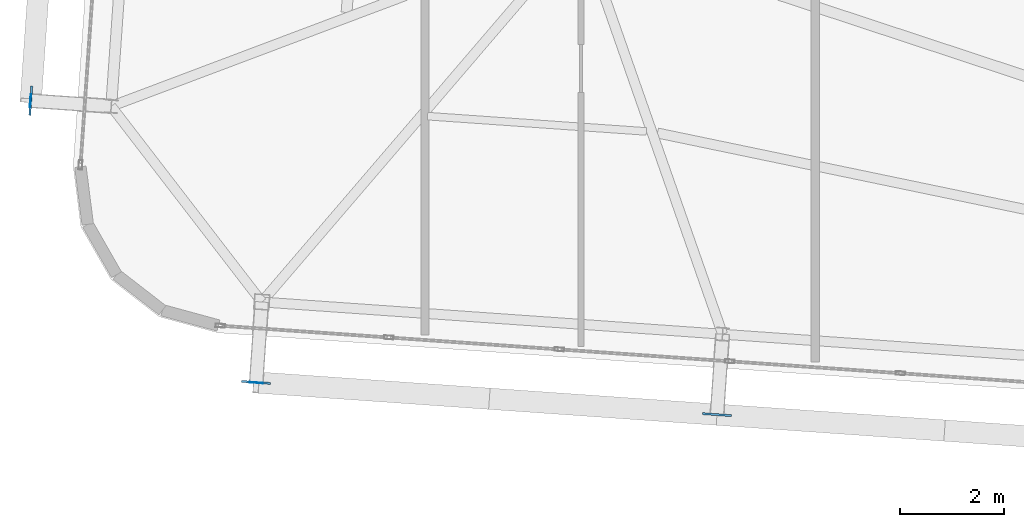
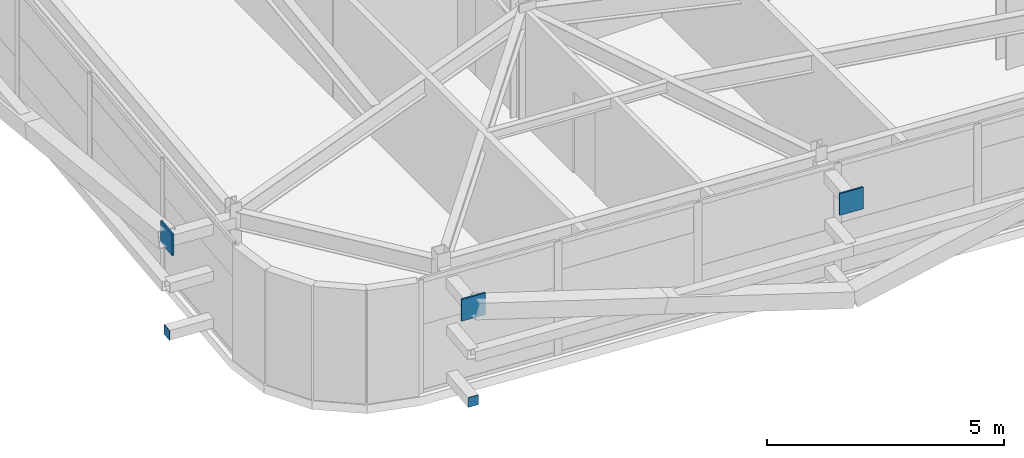
# One storey, part 33 of 47: 5 plates.
"""IFC4 building model written with IfcOpenShell, lengths in metres."""

from ifc_helpers import new_model, si_unit, direction, frame, origin, origin_2d, place, context, subcontext, project, spatial, rectangle, extrude, source, transform, mapped, material, layer, layer_set, type_object, element, save


model = new_model("IFC4")

# Units and contexts
model_context = context("Model", 3, precision=1e-05, world=origin(), true_north=direction((0.0, 1.0)))
body_context = subcontext(model_context, "Body", "Model", "MODEL_VIEW")
ifc_project = project(units=[si_unit("LENGTHUNIT", "METRE"), si_unit("AREAUNIT", "SQUARE_METRE"), si_unit("VOLUMEUNIT", "CUBIC_METRE"), si_unit("PLANEANGLEUNIT", "RADIAN"), si_unit("MASSUNIT", "GRAM", prefix="KILO")], contexts=[model_context])

# Site, building, storey
site_placement = place(None, origin())
site = spatial("IfcSite", under=ifc_project, at=site_placement, CompositionType="ELEMENT")
building_placement = place(site_placement, origin())
building = spatial("IfcBuilding", under=site, at=building_placement, Name="Taldren Reach Tower", CompositionType="ELEMENT")
storey_placement = place(building_placement, frame((0.0, 0.0, 142.449951171875)))
storey = spatial("IfcBuildingStorey", under=building, at=storey_placement, Name="L43", CompositionType="ELEMENT", Elevation=142.449951171875)

# Plates
ifc_material_1 = material(Name="Steel Gr 450 (C450L0)", Category="steel")
ifc_layer_1 = layer(ifc_material_1, 0.0400390625)
ifc_layer_set_1 = layer_set([ifc_layer_1], Name="Steel Gr 450 (C450L0)")
plate_type_1 = type_object("IfcPlateType", Name="PL-GUSSET-40", PredefinedType="SHEET", material=ifc_layer_set_1)
shared_shape_1 = source(origin(), body_context, "Body", "SweptSolid", [
    extrude(rectangle(XDim=0.56005859375, YDim=0.0400390625, at=origin_2d()), origin(), (0.0, 0.0, 1.0), 0.56005859375),
])
for number, where, z_axis, x_axis, name in (
    (1, (11.75537109375, 3.792236328125, 2.3701171875), (0.0, 0.0, 1.0), (0.99756405026, -0.069756473744, 0.0), "Exoskeleton star-node gusset plate B3-S1 L43"),
    (2, (20.61376953125, 3.1728515625, 2.3701171875), (0.0, 0.0, 1.0), (0.99756405026, -0.069756473744, 0.0), "Exoskeleton star-node gusset plate B3-S2 L43"),
    (3, (7.422607421875, 9.20751953125, 2.3701171875), (0.0, 0.0, 1.0), (0.069756473744, 0.99756405026, 0.0), "Exoskeleton star-node gusset plate B3-W1 L43"),
):
    element("IfcPlate", number, at=place(storey_placement, frame(where, z_axis=z_axis, x_axis=x_axis)), inside=storey, type_object=plate_type_1, Name=name, PredefinedType="SHEET", context=body_context, shape_type="MappedRepresentation", body=[
        mapped(shared_shape_1, transform((0.0, 0.0, 0.0), scale=1.0)),
    ])
ifc_material_2 = material(Name="Steel Gr 350 (C350L0)", Category="steel")
ifc_layer_2 = layer(ifc_material_2, 0.011962890625)
ifc_layer_set_2 = layer_set([ifc_layer_2], Name="Steel Gr 350 (C350L0)")
plate_type_2 = type_object("IfcPlateType", Name="PL-CAP-250", PredefinedType="SHEET", material=ifc_layer_set_2)
shared_shape_2 = source(origin(), body_context, "Body", "SweptSolid", [
    extrude(rectangle(XDim=0.25, YDim=0.011962890625, at=origin_2d()), origin(), (0.0, 0.0, 1.0), 0.25),
])
plate_1_placement = place(storey_placement, frame((11.755126953125, 3.7861328125, 0.094970703125), z_axis=(0.0, 0.0, 1.0), x_axis=(0.99756405026, -0.069756473744, 0.0)))
element("IfcPlate", 4, at=plate_1_placement, inside=storey, type_object=plate_type_2, Name="Tie strut end cap plate B3-S1 L43", PredefinedType="SHEET", context=body_context, shape_type="MappedRepresentation", body=[
    mapped(shared_shape_2, transform((0.0, 0.0, 0.0), scale=1.0)),
])
shared_shape_3 = source(origin(), body_context, "Body", "SweptSolid", [
    extrude(rectangle(XDim=0.011962890625, YDim=0.25, at=origin_2d()), origin(), (0.0, 0.0, 1.0), 0.25),
])
plate_2_placement = place(storey_placement, frame((7.416748046875, 9.2080078125, 0.094970703125), z_axis=(0.0, 0.0, 1.0), x_axis=(0.99756405026, -0.069756473744, 0.0)))
element("IfcPlate", 5, at=plate_2_placement, inside=storey, type_object=plate_type_2, Name="Tie strut end cap plate B3-W1 L43", PredefinedType="SHEET", context=body_context, shape_type="MappedRepresentation", body=[
    mapped(shared_shape_3, transform((0.0, 0.0, 0.0), scale=1.0)),
])

save(model, "model.ifc")
